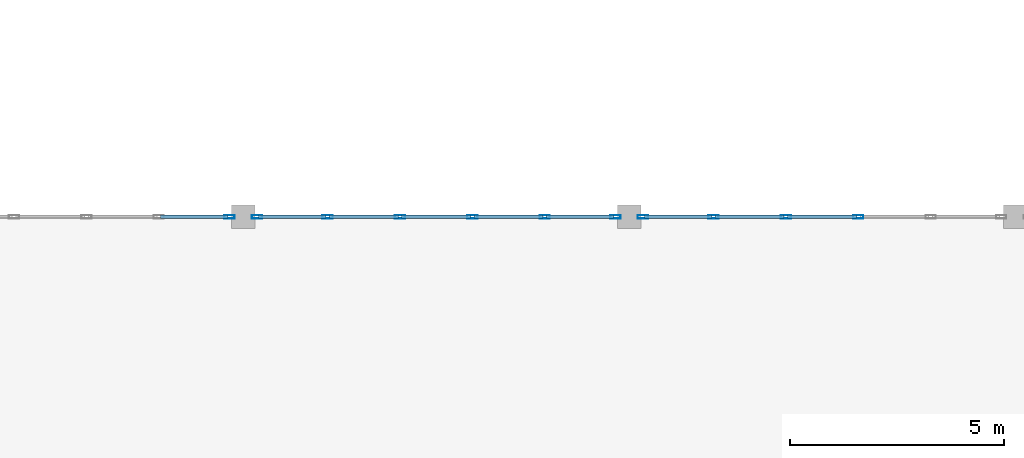
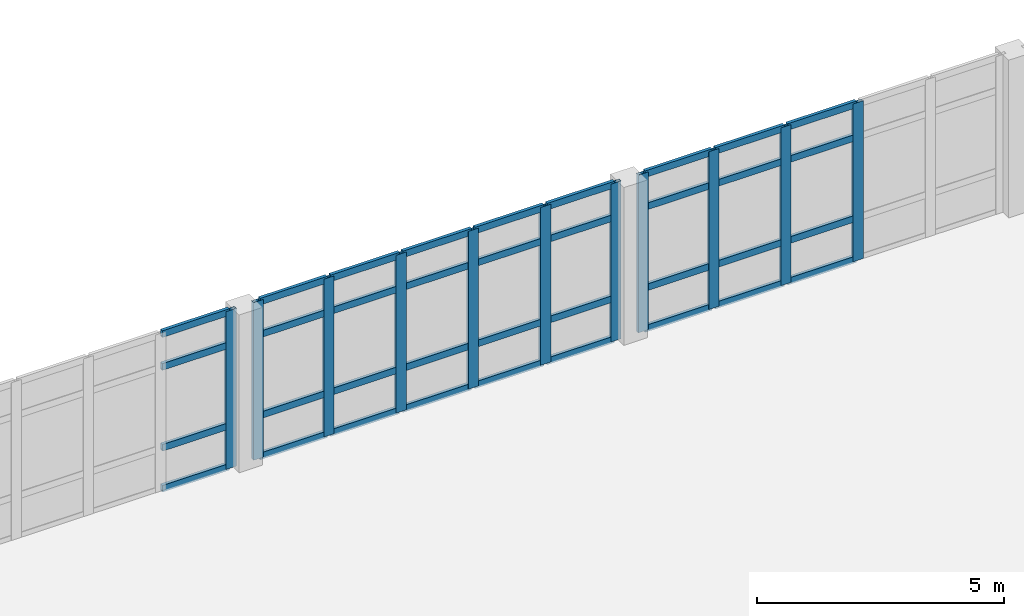
# One storey, part 25 of 156: 47 members, 3 elements without a shape of their own.
"""IFC4 building model written with IfcOpenShell, lengths in metres."""

from ifc_helpers import new_model, si_unit, direction, frame, origin, origin_2d, place, context, subcontext, project, spatial, hollow_rectangle, extrude, material, layer, layer_set, material_profile, profile_set, type_object, element, aggregate, save


model = new_model("IFC4")

# Units and contexts
model_context = context("Model", 3, precision=1e-05, world=origin(), true_north=direction((0.0, 1.0)))
body_context = subcontext(model_context, "Body", "Model", "MODEL_VIEW")
ifc_project = project(units=[si_unit("LENGTHUNIT", "METRE"), si_unit("AREAUNIT", "SQUARE_METRE"), si_unit("VOLUMEUNIT", "CUBIC_METRE"), si_unit("PLANEANGLEUNIT", "RADIAN"), si_unit("MASSUNIT", "GRAM", prefix="KILO")], contexts=[model_context])

# Site, building, storey
site_placement = place(None, origin())
site = spatial("IfcSite", under=ifc_project, at=site_placement, CompositionType="ELEMENT")
building_placement = place(site_placement, origin())
building = spatial("IfcBuilding", under=site, at=building_placement, Name="Ornek Quay Market", CompositionType="ELEMENT")
storey_placement = place(building_placement, frame((0.0, 0.0, 4.5)))
storey = spatial("IfcBuildingStorey", under=building, at=storey_placement, Name="L01", CompositionType="ELEMENT", Elevation=4.5)

# Curtain wall, member
ifc_material_1 = material(Name="Anodised bronze aluminium and triple low-e glass", Category="aluminium")
ifc_layer = layer(ifc_material_1, 0.239990234375, Name="Anodised bronze aluminium and triple low-e glass", Category="aluminium")
ifc_layer_set = layer_set([ifc_layer], Name="Anodised bronze aluminium and triple low-e glass")
curtain_wall_type = type_object("IfcCurtainWallType", Name="CW-GAB-MOD1800", PredefinedType="USERDEFINED", material=ifc_layer_set)
curtain_wall_1_placement = place(storey_placement, origin())
curtain_wall_1 = element("IfcCurtainWall", 1, at=curtain_wall_1_placement, inside=storey, type_object=curtain_wall_type, Name="Curtain wall CW-065", ObjectType="CURTAIN WALL", PredefinedType="USERDEFINED")
ifc_material_2 = material(Name="Anodised aluminium 6063-T6", Category="aluminium")
ifc_material_profile_1 = material_profile(ifc_material_2, hollow_rectangle(XDim=0.080078125, YDim=0.239990234375, WallThickness=0.006103515625, at=origin_2d()), Name="CW-MUL-80x240", Category="aluminium")
ifc_profile_set_1 = profile_set([ifc_material_profile_1], Name="Anodised aluminium 6063-T6")
member_type_1 = type_object("IfcMemberType", Name="CW-MUL-80x240", PredefinedType="MULLION", material=ifc_profile_set_1)
member_1_placement = place(storey_placement, frame((80.679931640625, 29.0, 0.0), z_axis=(0.0, 0.0, 1.0), x_axis=(0.0, 1.0, 0.0)))
member_1 = element("IfcMember", 2, at=member_1_placement, type_object=member_type_1, Name="CW-065 mullion 6", PredefinedType="MULLION", context=body_context, shape_type="SweptSolid", body=[
    extrude(hollow_rectangle(XDim=0.080078125, YDim=0.239990234375, WallThickness=0.006103515625, at=origin_2d()), origin(), (0.0, 0.0, 1.0), 3.89990234375),
])

# Curtain wall, members
curtain_wall_2_placement = place(storey_placement, origin())
curtain_wall_2 = element("IfcCurtainWall", 3, at=curtain_wall_2_placement, inside=storey, type_object=curtain_wall_type, Name="Curtain wall CW-068", ObjectType="CURTAIN WALL", PredefinedType="USERDEFINED")
member_2_placement = place(storey_placement, frame((81.320068359375, 29.0, 0.0), z_axis=(0.0, 0.0, 1.0), x_axis=(0.0, 1.0, 0.0)))
member_2 = element("IfcMember", 4, at=member_2_placement, type_object=member_type_1, Name="CW-068 mullion 1", PredefinedType="MULLION", context=body_context, shape_type="SweptSolid", body=[
    extrude(hollow_rectangle(XDim=0.080078125, YDim=0.239990234375, WallThickness=0.006103515625, at=origin_2d()), origin(), (0.0, 0.0, 1.0), 3.89990234375),
])
member_3_placement = place(storey_placement, frame((82.968017578125, 29.0, 0.0), z_axis=(0.0, 0.0, 1.0), x_axis=(0.0, 1.0, 0.0)))
member_3 = element("IfcMember", 5, at=member_3_placement, type_object=member_type_1, Name="CW-068 mullion 2", PredefinedType="MULLION", context=body_context, shape_type="SweptSolid", body=[
    extrude(hollow_rectangle(XDim=0.080078125, YDim=0.239990234375, WallThickness=0.006103515625, at=origin_2d()), origin(), (0.0, 0.0, 1.0), 3.89990234375),
])
member_4_placement = place(storey_placement, frame((84.656005859375, 29.0, 0.0), z_axis=(0.0, 0.0, 1.0), x_axis=(0.0, 1.0, 0.0)))
member_4 = element("IfcMember", 6, at=member_4_placement, type_object=member_type_1, Name="CW-068 mullion 3", PredefinedType="MULLION", context=body_context, shape_type="SweptSolid", body=[
    extrude(hollow_rectangle(XDim=0.080078125, YDim=0.239990234375, WallThickness=0.006103515625, at=origin_2d()), origin(), (0.0, 0.0, 1.0), 3.89990234375),
])
member_5_placement = place(storey_placement, frame((86.343994140625, 29.0, 0.0), z_axis=(0.0, 0.0, 1.0), x_axis=(0.0, 1.0, 0.0)))
member_5 = element("IfcMember", 7, at=member_5_placement, type_object=member_type_1, Name="CW-068 mullion 4", PredefinedType="MULLION", context=body_context, shape_type="SweptSolid", body=[
    extrude(hollow_rectangle(XDim=0.080078125, YDim=0.239990234375, WallThickness=0.006103515625, at=origin_2d()), origin(), (0.0, 0.0, 1.0), 3.89990234375),
])
member_6_placement = place(storey_placement, frame((88.031982421875, 29.0, 0.0), z_axis=(0.0, 0.0, 1.0), x_axis=(0.0, 1.0, 0.0)))
member_6 = element("IfcMember", 8, at=member_6_placement, type_object=member_type_1, Name="CW-068 mullion 5", PredefinedType="MULLION", context=body_context, shape_type="SweptSolid", body=[
    extrude(hollow_rectangle(XDim=0.080078125, YDim=0.239990234375, WallThickness=0.006103515625, at=origin_2d()), origin(), (0.0, 0.0, 1.0), 3.89990234375),
])
member_7_placement = place(storey_placement, frame((89.679931640625, 29.0, 0.0), z_axis=(0.0, 0.0, 1.0), x_axis=(0.0, 1.0, 0.0)))
member_7 = element("IfcMember", 9, at=member_7_placement, type_object=member_type_1, Name="CW-068 mullion 6", PredefinedType="MULLION", context=body_context, shape_type="SweptSolid", body=[
    extrude(hollow_rectangle(XDim=0.080078125, YDim=0.239990234375, WallThickness=0.006103515625, at=origin_2d()), origin(), (0.0, 0.0, 1.0), 3.89990234375),
])

curtain_wall_3_placement = place(storey_placement, origin())
curtain_wall_3 = element("IfcCurtainWall", 10, at=curtain_wall_3_placement, inside=storey, type_object=curtain_wall_type, Name="Curtain wall CW-071", ObjectType="CURTAIN WALL", PredefinedType="USERDEFINED")
member_8_placement = place(storey_placement, frame((90.320068359375, 29.0, 0.0), z_axis=(0.0, 0.0, 1.0), x_axis=(0.0, 1.0, 0.0)))
member_8 = element("IfcMember", 11, at=member_8_placement, type_object=member_type_1, Name="CW-071 mullion 1", PredefinedType="MULLION", context=body_context, shape_type="SweptSolid", body=[
    extrude(hollow_rectangle(XDim=0.080078125, YDim=0.239990234375, WallThickness=0.006103515625, at=origin_2d()), origin(), (0.0, 0.0, 1.0), 3.89990234375),
])
member_9_placement = place(storey_placement, frame((91.968017578125, 29.0, 0.0), z_axis=(0.0, 0.0, 1.0), x_axis=(0.0, 1.0, 0.0)))
member_9 = element("IfcMember", 12, at=member_9_placement, type_object=member_type_1, Name="CW-071 mullion 2", PredefinedType="MULLION", context=body_context, shape_type="SweptSolid", body=[
    extrude(hollow_rectangle(XDim=0.080078125, YDim=0.239990234375, WallThickness=0.006103515625, at=origin_2d()), origin(), (0.0, 0.0, 1.0), 3.89990234375),
])
member_10_placement = place(storey_placement, frame((93.656005859375, 29.0, 0.0), z_axis=(0.0, 0.0, 1.0), x_axis=(0.0, 1.0, 0.0)))
member_10 = element("IfcMember", 13, at=member_10_placement, type_object=member_type_1, Name="CW-071 mullion 3", PredefinedType="MULLION", context=body_context, shape_type="SweptSolid", body=[
    extrude(hollow_rectangle(XDim=0.080078125, YDim=0.239990234375, WallThickness=0.006103515625, at=origin_2d()), origin(), (0.0, 0.0, 1.0), 3.89990234375),
])
member_11_placement = place(storey_placement, frame((95.343994140625, 29.0, 0.0), z_axis=(0.0, 0.0, 1.0), x_axis=(0.0, 1.0, 0.0)))
member_11 = element("IfcMember", 14, at=member_11_placement, type_object=member_type_1, Name="CW-071 mullion 4", PredefinedType="MULLION", context=body_context, shape_type="SweptSolid", body=[
    extrude(hollow_rectangle(XDim=0.080078125, YDim=0.239990234375, WallThickness=0.006103515625, at=origin_2d()), origin(), (0.0, 0.0, 1.0), 3.89990234375),
])

# Member
ifc_material_profile_2 = material_profile(ifc_material_2, hollow_rectangle(XDim=0.074951171875, YDim=0.1650390625, WallThickness=0.0048828125, at=origin_2d()), Name="CW-TRN-75x165", Category="aluminium")
ifc_profile_set_2 = profile_set([ifc_material_profile_2], Name="Anodised aluminium 6063-T6")
member_type_2 = type_object("IfcMemberType", Name="CW-TRN-75x165", PredefinedType="USERDEFINED", material=ifc_profile_set_2)
member_12_placement = place(storey_placement, frame((79.072021484375, 29.0, 0.03759765625), z_axis=(1.0, 0.0, 0.0), x_axis=(0.0, 1.0, 0.0)))
member_12 = element("IfcMember", 15, at=member_12_placement, type_object=member_type_2, Name="CW-065 transom 5.1", ObjectType="TRANSOM", PredefinedType="USERDEFINED", context=body_context, shape_type="SweptSolid", body=[
    extrude(hollow_rectangle(XDim=0.074951171875, YDim=0.1650390625, WallThickness=0.0048828125, at=origin_2d()), origin(), (0.0, 0.0, 1.0), 1.56787109375),
])

member_13_placement = place(storey_placement, frame((79.072021484375, 29.0, 1.050048828125), z_axis=(1.0, 0.0, 0.0), x_axis=(0.0, 1.0, 0.0)))
member_13 = element("IfcMember", 16, at=member_13_placement, type_object=member_type_2, Name="CW-065 transom 5.2", ObjectType="TRANSOM", PredefinedType="USERDEFINED", context=body_context, shape_type="SweptSolid", body=[
    extrude(hollow_rectangle(XDim=0.074951171875, YDim=0.1650390625, WallThickness=0.0048828125, at=origin_2d()), origin(), (0.0, 0.0, 1.0), 1.56787109375),
])

member_14_placement = place(storey_placement, frame((79.072021484375, 29.0, 3.050048828125), z_axis=(1.0, 0.0, 0.0), x_axis=(0.0, 1.0, 0.0)))
member_14 = element("IfcMember", 17, at=member_14_placement, type_object=member_type_2, Name="CW-065 transom 5.3", ObjectType="TRANSOM", PredefinedType="USERDEFINED", context=body_context, shape_type="SweptSolid", body=[
    extrude(hollow_rectangle(XDim=0.074951171875, YDim=0.1650390625, WallThickness=0.0048828125, at=origin_2d()), origin(), (0.0, 0.0, 1.0), 1.56787109375),
])

member_15_placement = place(storey_placement, frame((79.072021484375, 29.0, 3.862548828125), z_axis=(1.0, 0.0, 0.0), x_axis=(0.0, 1.0, 0.0)))
member_15 = element("IfcMember", 18, at=member_15_placement, type_object=member_type_2, Name="CW-065 transom 5.4", ObjectType="TRANSOM", PredefinedType="USERDEFINED", context=body_context, shape_type="SweptSolid", body=[
    extrude(hollow_rectangle(XDim=0.074951171875, YDim=0.1650390625, WallThickness=0.0048828125, at=origin_2d()), origin(), (0.0, 0.0, 1.0), 1.56787109375),
])

aggregate(curtain_wall_1, [member_1, member_12, member_13, member_14, member_15])

member_16_placement = place(storey_placement, frame((81.360107421875, 29.0, 0.03759765625), z_axis=(1.0, 0.0, 0.0), x_axis=(0.0, 1.0, 0.0)))
member_16 = element("IfcMember", 19, at=member_16_placement, type_object=member_type_2, Name="CW-068 transom 1.1", ObjectType="TRANSOM", PredefinedType="USERDEFINED", context=body_context, shape_type="SweptSolid", body=[
    extrude(hollow_rectangle(XDim=0.074951171875, YDim=0.1650390625, WallThickness=0.0048828125, at=origin_2d()), origin(), (0.0, 0.0, 1.0), 1.56787109375),
])

member_17_placement = place(storey_placement, frame((81.360107421875, 29.0, 1.050048828125), z_axis=(1.0, 0.0, 0.0), x_axis=(0.0, 1.0, 0.0)))
member_17 = element("IfcMember", 20, at=member_17_placement, type_object=member_type_2, Name="CW-068 transom 1.2", ObjectType="TRANSOM", PredefinedType="USERDEFINED", context=body_context, shape_type="SweptSolid", body=[
    extrude(hollow_rectangle(XDim=0.074951171875, YDim=0.1650390625, WallThickness=0.0048828125, at=origin_2d()), origin(), (0.0, 0.0, 1.0), 1.56787109375),
])

member_18_placement = place(storey_placement, frame((81.360107421875, 29.0, 3.050048828125), z_axis=(1.0, 0.0, 0.0), x_axis=(0.0, 1.0, 0.0)))
member_18 = element("IfcMember", 21, at=member_18_placement, type_object=member_type_2, Name="CW-068 transom 1.3", ObjectType="TRANSOM", PredefinedType="USERDEFINED", context=body_context, shape_type="SweptSolid", body=[
    extrude(hollow_rectangle(XDim=0.074951171875, YDim=0.1650390625, WallThickness=0.0048828125, at=origin_2d()), origin(), (0.0, 0.0, 1.0), 1.56787109375),
])

member_19_placement = place(storey_placement, frame((81.360107421875, 29.0, 3.862548828125), z_axis=(1.0, 0.0, 0.0), x_axis=(0.0, 1.0, 0.0)))
member_19 = element("IfcMember", 22, at=member_19_placement, type_object=member_type_2, Name="CW-068 transom 1.4", ObjectType="TRANSOM", PredefinedType="USERDEFINED", context=body_context, shape_type="SweptSolid", body=[
    extrude(hollow_rectangle(XDim=0.074951171875, YDim=0.1650390625, WallThickness=0.0048828125, at=origin_2d()), origin(), (0.0, 0.0, 1.0), 1.56787109375),
])

member_20_placement = place(storey_placement, frame((83.008056640625, 29.0, 0.03759765625), z_axis=(1.0, 0.0, 0.0), x_axis=(0.0, 1.0, 0.0)))
member_20 = element("IfcMember", 23, at=member_20_placement, type_object=member_type_2, Name="CW-068 transom 2.1", ObjectType="TRANSOM", PredefinedType="USERDEFINED", context=body_context, shape_type="SweptSolid", body=[
    extrude(hollow_rectangle(XDim=0.074951171875, YDim=0.1650390625, WallThickness=0.0048828125, at=origin_2d()), origin(), (0.0, 0.0, 1.0), 1.60791015625),
])

member_21_placement = place(storey_placement, frame((83.008056640625, 29.0, 1.050048828125), z_axis=(1.0, 0.0, 0.0), x_axis=(0.0, 1.0, 0.0)))
member_21 = element("IfcMember", 24, at=member_21_placement, type_object=member_type_2, Name="CW-068 transom 2.2", ObjectType="TRANSOM", PredefinedType="USERDEFINED", context=body_context, shape_type="SweptSolid", body=[
    extrude(hollow_rectangle(XDim=0.074951171875, YDim=0.1650390625, WallThickness=0.0048828125, at=origin_2d()), origin(), (0.0, 0.0, 1.0), 1.60791015625),
])

member_22_placement = place(storey_placement, frame((83.008056640625, 29.0, 3.050048828125), z_axis=(1.0, 0.0, 0.0), x_axis=(0.0, 1.0, 0.0)))
member_22 = element("IfcMember", 25, at=member_22_placement, type_object=member_type_2, Name="CW-068 transom 2.3", ObjectType="TRANSOM", PredefinedType="USERDEFINED", context=body_context, shape_type="SweptSolid", body=[
    extrude(hollow_rectangle(XDim=0.074951171875, YDim=0.1650390625, WallThickness=0.0048828125, at=origin_2d()), origin(), (0.0, 0.0, 1.0), 1.60791015625),
])

member_23_placement = place(storey_placement, frame((83.008056640625, 29.0, 3.862548828125), z_axis=(1.0, 0.0, 0.0), x_axis=(0.0, 1.0, 0.0)))
member_23 = element("IfcMember", 26, at=member_23_placement, type_object=member_type_2, Name="CW-068 transom 2.4", ObjectType="TRANSOM", PredefinedType="USERDEFINED", context=body_context, shape_type="SweptSolid", body=[
    extrude(hollow_rectangle(XDim=0.074951171875, YDim=0.1650390625, WallThickness=0.0048828125, at=origin_2d()), origin(), (0.0, 0.0, 1.0), 1.60791015625),
])

member_24_placement = place(storey_placement, frame((84.696044921875, 29.0, 0.03759765625), z_axis=(1.0, 0.0, 0.0), x_axis=(0.0, 1.0, 0.0)))
member_24 = element("IfcMember", 27, at=member_24_placement, type_object=member_type_2, Name="CW-068 transom 3.1", ObjectType="TRANSOM", PredefinedType="USERDEFINED", context=body_context, shape_type="SweptSolid", body=[
    extrude(hollow_rectangle(XDim=0.074951171875, YDim=0.1650390625, WallThickness=0.0048828125, at=origin_2d()), origin(), (0.0, 0.0, 1.0), 1.60791015625),
])

member_25_placement = place(storey_placement, frame((84.696044921875, 29.0, 1.050048828125), z_axis=(1.0, 0.0, 0.0), x_axis=(0.0, 1.0, 0.0)))
member_25 = element("IfcMember", 28, at=member_25_placement, type_object=member_type_2, Name="CW-068 transom 3.2", ObjectType="TRANSOM", PredefinedType="USERDEFINED", context=body_context, shape_type="SweptSolid", body=[
    extrude(hollow_rectangle(XDim=0.074951171875, YDim=0.1650390625, WallThickness=0.0048828125, at=origin_2d()), origin(), (0.0, 0.0, 1.0), 1.60791015625),
])

member_26_placement = place(storey_placement, frame((84.696044921875, 29.0, 3.050048828125), z_axis=(1.0, 0.0, 0.0), x_axis=(0.0, 1.0, 0.0)))
member_26 = element("IfcMember", 29, at=member_26_placement, type_object=member_type_2, Name="CW-068 transom 3.3", ObjectType="TRANSOM", PredefinedType="USERDEFINED", context=body_context, shape_type="SweptSolid", body=[
    extrude(hollow_rectangle(XDim=0.074951171875, YDim=0.1650390625, WallThickness=0.0048828125, at=origin_2d()), origin(), (0.0, 0.0, 1.0), 1.60791015625),
])

member_27_placement = place(storey_placement, frame((84.696044921875, 29.0, 3.862548828125), z_axis=(1.0, 0.0, 0.0), x_axis=(0.0, 1.0, 0.0)))
member_27 = element("IfcMember", 30, at=member_27_placement, type_object=member_type_2, Name="CW-068 transom 3.4", ObjectType="TRANSOM", PredefinedType="USERDEFINED", context=body_context, shape_type="SweptSolid", body=[
    extrude(hollow_rectangle(XDim=0.074951171875, YDim=0.1650390625, WallThickness=0.0048828125, at=origin_2d()), origin(), (0.0, 0.0, 1.0), 1.60791015625),
])

member_28_placement = place(storey_placement, frame((86.384033203125, 29.0, 0.03759765625), z_axis=(1.0, 0.0, 0.0), x_axis=(0.0, 1.0, 0.0)))
member_28 = element("IfcMember", 31, at=member_28_placement, type_object=member_type_2, Name="CW-068 transom 4.1", ObjectType="TRANSOM", PredefinedType="USERDEFINED", context=body_context, shape_type="SweptSolid", body=[
    extrude(hollow_rectangle(XDim=0.074951171875, YDim=0.1650390625, WallThickness=0.0048828125, at=origin_2d()), origin(), (0.0, 0.0, 1.0), 1.60791015625),
])

member_29_placement = place(storey_placement, frame((86.384033203125, 29.0, 1.050048828125), z_axis=(1.0, 0.0, 0.0), x_axis=(0.0, 1.0, 0.0)))
member_29 = element("IfcMember", 32, at=member_29_placement, type_object=member_type_2, Name="CW-068 transom 4.2", ObjectType="TRANSOM", PredefinedType="USERDEFINED", context=body_context, shape_type="SweptSolid", body=[
    extrude(hollow_rectangle(XDim=0.074951171875, YDim=0.1650390625, WallThickness=0.0048828125, at=origin_2d()), origin(), (0.0, 0.0, 1.0), 1.60791015625),
])

member_30_placement = place(storey_placement, frame((86.384033203125, 29.0, 3.050048828125), z_axis=(1.0, 0.0, 0.0), x_axis=(0.0, 1.0, 0.0)))
member_30 = element("IfcMember", 33, at=member_30_placement, type_object=member_type_2, Name="CW-068 transom 4.3", ObjectType="TRANSOM", PredefinedType="USERDEFINED", context=body_context, shape_type="SweptSolid", body=[
    extrude(hollow_rectangle(XDim=0.074951171875, YDim=0.1650390625, WallThickness=0.0048828125, at=origin_2d()), origin(), (0.0, 0.0, 1.0), 1.60791015625),
])

member_31_placement = place(storey_placement, frame((86.384033203125, 29.0, 3.862548828125), z_axis=(1.0, 0.0, 0.0), x_axis=(0.0, 1.0, 0.0)))
member_31 = element("IfcMember", 34, at=member_31_placement, type_object=member_type_2, Name="CW-068 transom 4.4", ObjectType="TRANSOM", PredefinedType="USERDEFINED", context=body_context, shape_type="SweptSolid", body=[
    extrude(hollow_rectangle(XDim=0.074951171875, YDim=0.1650390625, WallThickness=0.0048828125, at=origin_2d()), origin(), (0.0, 0.0, 1.0), 1.60791015625),
])

member_32_placement = place(storey_placement, frame((88.072021484375, 29.0, 0.03759765625), z_axis=(1.0, 0.0, 0.0), x_axis=(0.0, 1.0, 0.0)))
member_32 = element("IfcMember", 35, at=member_32_placement, type_object=member_type_2, Name="CW-068 transom 5.1", ObjectType="TRANSOM", PredefinedType="USERDEFINED", context=body_context, shape_type="SweptSolid", body=[
    extrude(hollow_rectangle(XDim=0.074951171875, YDim=0.1650390625, WallThickness=0.0048828125, at=origin_2d()), origin(), (0.0, 0.0, 1.0), 1.56787109375),
])

member_33_placement = place(storey_placement, frame((88.072021484375, 29.0, 1.050048828125), z_axis=(1.0, 0.0, 0.0), x_axis=(0.0, 1.0, 0.0)))
member_33 = element("IfcMember", 36, at=member_33_placement, type_object=member_type_2, Name="CW-068 transom 5.2", ObjectType="TRANSOM", PredefinedType="USERDEFINED", context=body_context, shape_type="SweptSolid", body=[
    extrude(hollow_rectangle(XDim=0.074951171875, YDim=0.1650390625, WallThickness=0.0048828125, at=origin_2d()), origin(), (0.0, 0.0, 1.0), 1.56787109375),
])

member_34_placement = place(storey_placement, frame((88.072021484375, 29.0, 3.050048828125), z_axis=(1.0, 0.0, 0.0), x_axis=(0.0, 1.0, 0.0)))
member_34 = element("IfcMember", 37, at=member_34_placement, type_object=member_type_2, Name="CW-068 transom 5.3", ObjectType="TRANSOM", PredefinedType="USERDEFINED", context=body_context, shape_type="SweptSolid", body=[
    extrude(hollow_rectangle(XDim=0.074951171875, YDim=0.1650390625, WallThickness=0.0048828125, at=origin_2d()), origin(), (0.0, 0.0, 1.0), 1.56787109375),
])

member_35_placement = place(storey_placement, frame((88.072021484375, 29.0, 3.862548828125), z_axis=(1.0, 0.0, 0.0), x_axis=(0.0, 1.0, 0.0)))
member_35 = element("IfcMember", 38, at=member_35_placement, type_object=member_type_2, Name="CW-068 transom 5.4", ObjectType="TRANSOM", PredefinedType="USERDEFINED", context=body_context, shape_type="SweptSolid", body=[
    extrude(hollow_rectangle(XDim=0.074951171875, YDim=0.1650390625, WallThickness=0.0048828125, at=origin_2d()), origin(), (0.0, 0.0, 1.0), 1.56787109375),
])

aggregate(curtain_wall_2, [member_2, member_3, member_4, member_5, member_6, member_7, member_16, member_17, member_18, member_19, member_20, member_21, member_22, member_23, member_24, member_25, member_26, member_27, member_28, member_29, member_30, member_31, member_32, member_33, member_34, member_35])

member_36_placement = place(storey_placement, frame((90.360107421875, 29.0, 0.03759765625), z_axis=(1.0, 0.0, 0.0), x_axis=(0.0, 1.0, 0.0)))
member_36 = element("IfcMember", 39, at=member_36_placement, type_object=member_type_2, Name="CW-071 transom 1.1", ObjectType="TRANSOM", PredefinedType="USERDEFINED", context=body_context, shape_type="SweptSolid", body=[
    extrude(hollow_rectangle(XDim=0.074951171875, YDim=0.1650390625, WallThickness=0.0048828125, at=origin_2d()), origin(), (0.0, 0.0, 1.0), 1.56787109375),
])

member_37_placement = place(storey_placement, frame((90.360107421875, 29.0, 1.050048828125), z_axis=(1.0, 0.0, 0.0), x_axis=(0.0, 1.0, 0.0)))
member_37 = element("IfcMember", 40, at=member_37_placement, type_object=member_type_2, Name="CW-071 transom 1.2", ObjectType="TRANSOM", PredefinedType="USERDEFINED", context=body_context, shape_type="SweptSolid", body=[
    extrude(hollow_rectangle(XDim=0.074951171875, YDim=0.1650390625, WallThickness=0.0048828125, at=origin_2d()), origin(), (0.0, 0.0, 1.0), 1.56787109375),
])

member_38_placement = place(storey_placement, frame((90.360107421875, 29.0, 3.050048828125), z_axis=(1.0, 0.0, 0.0), x_axis=(0.0, 1.0, 0.0)))
member_38 = element("IfcMember", 41, at=member_38_placement, type_object=member_type_2, Name="CW-071 transom 1.3", ObjectType="TRANSOM", PredefinedType="USERDEFINED", context=body_context, shape_type="SweptSolid", body=[
    extrude(hollow_rectangle(XDim=0.074951171875, YDim=0.1650390625, WallThickness=0.0048828125, at=origin_2d()), origin(), (0.0, 0.0, 1.0), 1.56787109375),
])

member_39_placement = place(storey_placement, frame((90.360107421875, 29.0, 3.862548828125), z_axis=(1.0, 0.0, 0.0), x_axis=(0.0, 1.0, 0.0)))
member_39 = element("IfcMember", 42, at=member_39_placement, type_object=member_type_2, Name="CW-071 transom 1.4", ObjectType="TRANSOM", PredefinedType="USERDEFINED", context=body_context, shape_type="SweptSolid", body=[
    extrude(hollow_rectangle(XDim=0.074951171875, YDim=0.1650390625, WallThickness=0.0048828125, at=origin_2d()), origin(), (0.0, 0.0, 1.0), 1.56787109375),
])

member_40_placement = place(storey_placement, frame((92.008056640625, 29.0, 0.03759765625), z_axis=(1.0, 0.0, 0.0), x_axis=(0.0, 1.0, 0.0)))
member_40 = element("IfcMember", 43, at=member_40_placement, type_object=member_type_2, Name="CW-071 transom 2.1", ObjectType="TRANSOM", PredefinedType="USERDEFINED", context=body_context, shape_type="SweptSolid", body=[
    extrude(hollow_rectangle(XDim=0.074951171875, YDim=0.1650390625, WallThickness=0.0048828125, at=origin_2d()), origin(), (0.0, 0.0, 1.0), 1.60791015625),
])

member_41_placement = place(storey_placement, frame((92.008056640625, 29.0, 1.050048828125), z_axis=(1.0, 0.0, 0.0), x_axis=(0.0, 1.0, 0.0)))
member_41 = element("IfcMember", 44, at=member_41_placement, type_object=member_type_2, Name="CW-071 transom 2.2", ObjectType="TRANSOM", PredefinedType="USERDEFINED", context=body_context, shape_type="SweptSolid", body=[
    extrude(hollow_rectangle(XDim=0.074951171875, YDim=0.1650390625, WallThickness=0.0048828125, at=origin_2d()), origin(), (0.0, 0.0, 1.0), 1.60791015625),
])

member_42_placement = place(storey_placement, frame((92.008056640625, 29.0, 3.050048828125), z_axis=(1.0, 0.0, 0.0), x_axis=(0.0, 1.0, 0.0)))
member_42 = element("IfcMember", 45, at=member_42_placement, type_object=member_type_2, Name="CW-071 transom 2.3", ObjectType="TRANSOM", PredefinedType="USERDEFINED", context=body_context, shape_type="SweptSolid", body=[
    extrude(hollow_rectangle(XDim=0.074951171875, YDim=0.1650390625, WallThickness=0.0048828125, at=origin_2d()), origin(), (0.0, 0.0, 1.0), 1.60791015625),
])

member_43_placement = place(storey_placement, frame((92.008056640625, 29.0, 3.862548828125), z_axis=(1.0, 0.0, 0.0), x_axis=(0.0, 1.0, 0.0)))
member_43 = element("IfcMember", 46, at=member_43_placement, type_object=member_type_2, Name="CW-071 transom 2.4", ObjectType="TRANSOM", PredefinedType="USERDEFINED", context=body_context, shape_type="SweptSolid", body=[
    extrude(hollow_rectangle(XDim=0.074951171875, YDim=0.1650390625, WallThickness=0.0048828125, at=origin_2d()), origin(), (0.0, 0.0, 1.0), 1.60791015625),
])

member_44_placement = place(storey_placement, frame((93.696044921875, 29.0, 0.03759765625), z_axis=(1.0, 0.0, 0.0), x_axis=(0.0, 1.0, 0.0)))
member_44 = element("IfcMember", 47, at=member_44_placement, type_object=member_type_2, Name="CW-071 transom 3.1", ObjectType="TRANSOM", PredefinedType="USERDEFINED", context=body_context, shape_type="SweptSolid", body=[
    extrude(hollow_rectangle(XDim=0.074951171875, YDim=0.1650390625, WallThickness=0.0048828125, at=origin_2d()), origin(), (0.0, 0.0, 1.0), 1.60791015625),
])

member_45_placement = place(storey_placement, frame((93.696044921875, 29.0, 1.050048828125), z_axis=(1.0, 0.0, 0.0), x_axis=(0.0, 1.0, 0.0)))
member_45 = element("IfcMember", 48, at=member_45_placement, type_object=member_type_2, Name="CW-071 transom 3.2", ObjectType="TRANSOM", PredefinedType="USERDEFINED", context=body_context, shape_type="SweptSolid", body=[
    extrude(hollow_rectangle(XDim=0.074951171875, YDim=0.1650390625, WallThickness=0.0048828125, at=origin_2d()), origin(), (0.0, 0.0, 1.0), 1.60791015625),
])

member_46_placement = place(storey_placement, frame((93.696044921875, 29.0, 3.050048828125), z_axis=(1.0, 0.0, 0.0), x_axis=(0.0, 1.0, 0.0)))
member_46 = element("IfcMember", 49, at=member_46_placement, type_object=member_type_2, Name="CW-071 transom 3.3", ObjectType="TRANSOM", PredefinedType="USERDEFINED", context=body_context, shape_type="SweptSolid", body=[
    extrude(hollow_rectangle(XDim=0.074951171875, YDim=0.1650390625, WallThickness=0.0048828125, at=origin_2d()), origin(), (0.0, 0.0, 1.0), 1.60791015625),
])

member_47_placement = place(storey_placement, frame((93.696044921875, 29.0, 3.862548828125), z_axis=(1.0, 0.0, 0.0), x_axis=(0.0, 1.0, 0.0)))
member_47 = element("IfcMember", 50, at=member_47_placement, type_object=member_type_2, Name="CW-071 transom 3.4", ObjectType="TRANSOM", PredefinedType="USERDEFINED", context=body_context, shape_type="SweptSolid", body=[
    extrude(hollow_rectangle(XDim=0.074951171875, YDim=0.1650390625, WallThickness=0.0048828125, at=origin_2d()), origin(), (0.0, 0.0, 1.0), 1.60791015625),
])

aggregate(curtain_wall_3, [member_8, member_9, member_10, member_11, member_36, member_37, member_38, member_39, member_40, member_41, member_42, member_43, member_44, member_45, member_46, member_47])

save(model, "model.ifc")
